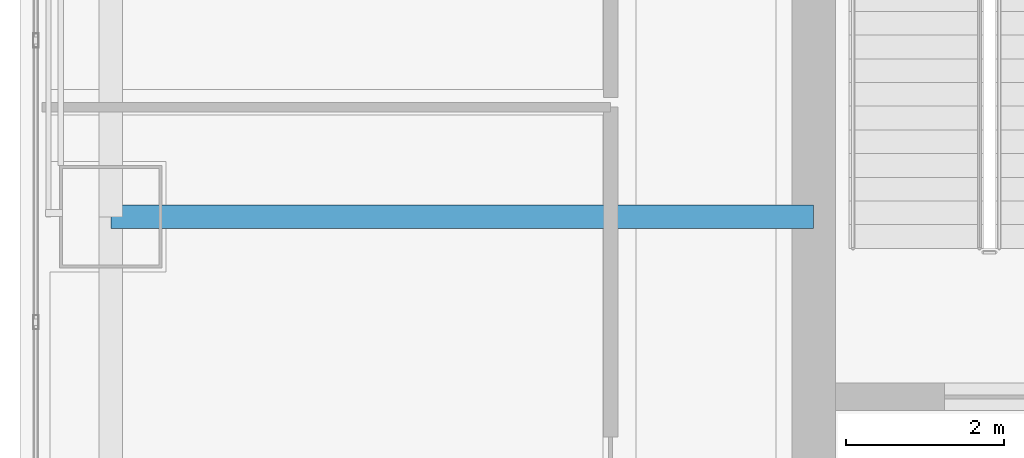
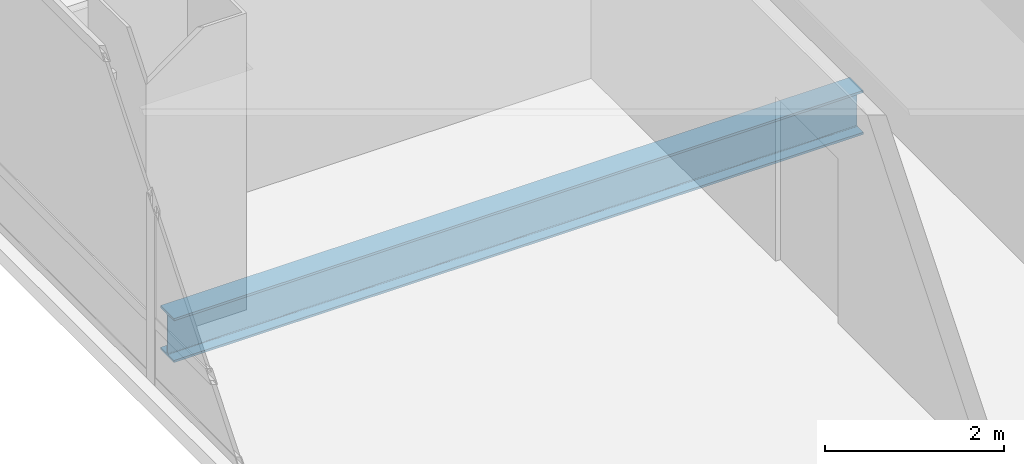
# One storey, part 5 of 40: 1 beam.
"""IFC4 building model written with IfcOpenShell, lengths in metres."""

from ifc_helpers import new_model, si_unit, direction, frame, origin, origin_2d, place, context, subcontext, project, spatial, i_section, extrude, material, material_profile, profile_set, type_object, element, save


model = new_model("IFC4")

# Units and contexts
model_context = context("Model", 3, precision=1e-05, world=origin(), true_north=direction((0.0, 1.0)))
body_context = subcontext(model_context, "Body", "Model", "MODEL_VIEW")
ifc_project = project(units=[si_unit("LENGTHUNIT", "METRE"), si_unit("AREAUNIT", "SQUARE_METRE"), si_unit("VOLUMEUNIT", "CUBIC_METRE"), si_unit("PLANEANGLEUNIT", "RADIAN"), si_unit("MASSUNIT", "GRAM", prefix="KILO")], contexts=[model_context])

# Site, building, storey
site_placement = place(None, origin())
site = spatial("IfcSite", under=ifc_project, at=site_placement, CompositionType="ELEMENT")
building_placement = place(site_placement, origin())
building = spatial("IfcBuilding", under=site, at=building_placement, Name="Punatoya Terracotta Tower", CompositionType="ELEMENT")
storey_placement = place(building_placement, frame((0.0, 0.0, 271.64990234375)))
storey = spatial("IfcBuildingStorey", under=building, at=storey_placement, Name="L64", CompositionType="ELEMENT", Elevation=271.64990234375)

# Beam
ifc_material = material(Name="Steel S355", Category="steel")
ifc_material_profile = material_profile(ifc_material, i_section(OverallWidth=0.300048828125, OverallDepth=0.60009765625, WebThickness=0.015380859375, FlangeThickness=0.030029296875, FilletRadius=0.01806640625, at=origin_2d()))
ifc_profile_set = profile_set([ifc_material_profile], Name="Steel S355")
beam_type = type_object("IfcBeamType", Name="BM-PRI-600", PredefinedType="BEAM", material=ifc_profile_set)
beam_placement = place(storey_placement, frame((-19.10009765625, -3.39990234375, -0.5), z_axis=(1.0, 0.0, 0.0), x_axis=(0.0, 1.0, 0.0)))
element("IfcBeam", 1, at=beam_placement, inside=storey, type_object=beam_type, Name="BM-L64-PR-WD", PredefinedType="BEAM", context=body_context, shape_type="SweptSolid", body=[
    extrude(i_section(OverallWidth=0.300048828125, OverallDepth=0.60009765625, WebThickness=0.015380859375, FlangeThickness=0.030029296875, FilletRadius=0.01806640625, at=origin_2d()), origin(), (0.0, 0.0, 1.0), 8.900146484375),
])

save(model, "model.ifc")
